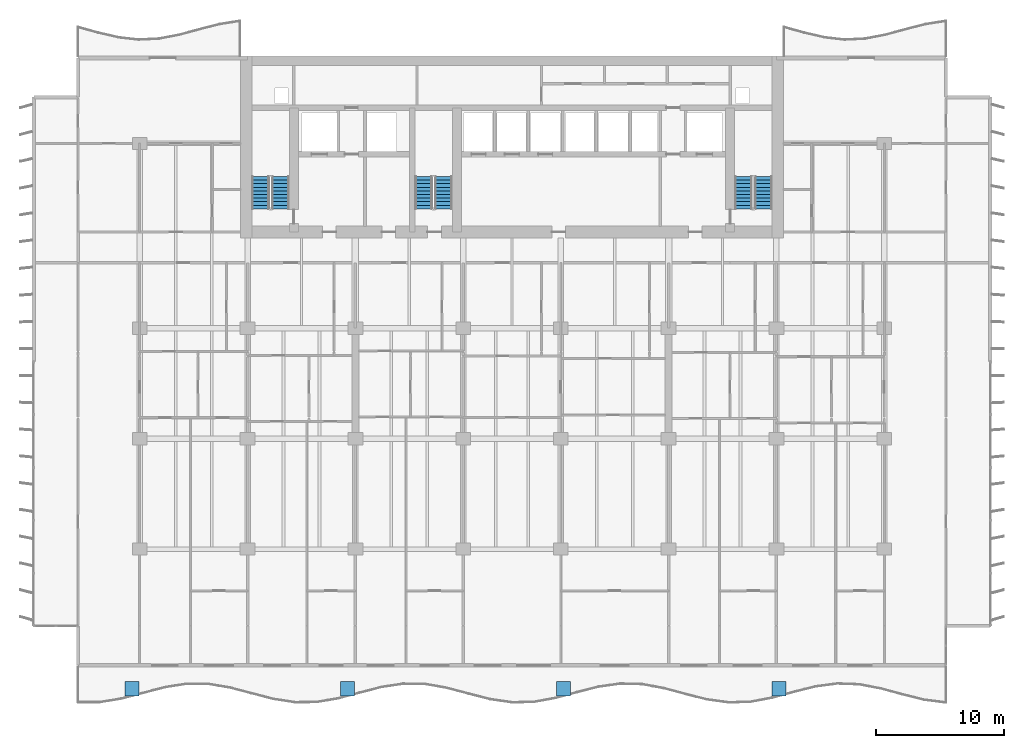
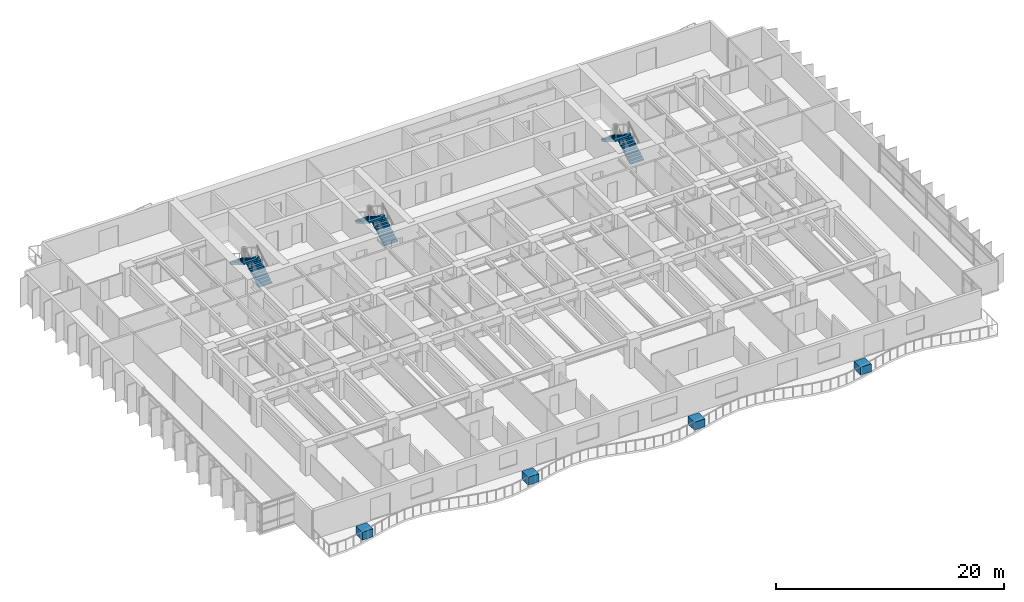
# One storey, part 14 of 18: 6 stair flights, 4 discrete accessories, 3 elements without a shape of their own.
"""IFC4 building model written with IfcOpenShell, lengths in metres."""

from ifc_helpers import new_model, si_unit, direction, frame, origin, origin_2d, place, context, subcontext, project, spatial, polyline, rectangle, outline, extrude, material, type_object, element, aggregate, save


model = new_model("IFC4")

# Units and contexts
model_context = context("Model", 3, precision=1e-05, world=origin(), true_north=direction((0.0, 1.0)))
body_context = subcontext(model_context, "Body", "Model", "MODEL_VIEW")
ifc_project = project(units=[si_unit("LENGTHUNIT", "METRE"), si_unit("AREAUNIT", "SQUARE_METRE"), si_unit("VOLUMEUNIT", "CUBIC_METRE"), si_unit("PLANEANGLEUNIT", "RADIAN"), si_unit("MASSUNIT", "GRAM", prefix="KILO")], contexts=[model_context])

# Site, building, storey
site_placement = place(None, origin())
site = spatial("IfcSite", under=ifc_project, at=site_placement, CompositionType="ELEMENT")
building_placement = place(site_placement, origin())
building = spatial("IfcBuilding", under=site, at=building_placement, Name="Caelmar Bay Residences", CompositionType="ELEMENT")
storey_placement = place(building_placement, frame((0.0, 0.0, 36.60009765625)))
storey = spatial("IfcBuildingStorey", under=building, at=storey_placement, Name="L08", CompositionType="ELEMENT", Elevation=36.60009765625)

# Stair, stair flights
ifc_material_1 = material(Name="Concrete f'c 40 MPa (6,000 psi)", Category="concrete")
stair_type = type_object("IfcStairType", Name="ST-TYP-165", PredefinedType="HALF_TURN_STAIR", material=ifc_material_1)
stair_1_placement = place(storey_placement, origin())
stair_1 = element("IfcStair", 1, at=stair_1_placement, inside=storey, type_object=stair_type, Name="L08 West Smokeproof Exit Stair ST1", PredefinedType="HALF_TURN_STAIR")
stair_flight_type = type_object("IfcStairFlightType", Name="STF-1350", PredefinedType="STRAIGHT", material=ifc_material_1)
stair_flight_1_placement = place(storey_placement, frame((20.875, 38.699951171875, 0.0), z_axis=(0.0, 0.0, 1.0), x_axis=(0.0, 1.0, 0.0)))
stair_flight_1 = element("IfcStairFlight", 2, at=stair_flight_1_placement, type_object=stair_flight_type, Name="ST1 flight 1", NumberOfRisers=10, NumberOfTreads=9, PredefinedType="STRAIGHT", RiserHeight=0.165, TreadLength=0.28, context=body_context, shape_type="SweptSolid", body=[
    extrude(outline(polyline([(0.0, 0.0), (0.0, 0.1650390625), (0.280029296875, 0.1650390625), (0.280029296875, 0.330078125), (0.56005859375, 0.330078125), (0.56005859375, 0.4951171875), (0.840087890625, 0.4951171875), (0.840087890625, 0.659912109375), (1.1201171875, 0.659912109375), (1.1201171875, 0.824951171875), (1.39990234375, 0.824951171875), (1.39990234375, 0.989990234375), (1.679931640625, 0.989990234375), (1.679931640625, 1.155029296875), (1.9599609375, 1.155029296875), (1.9599609375, 1.320068359375), (2.239990234375, 1.320068359375), (2.239990234375, 1.485107421875), (2.52001953125, 1.485107421875), (2.52001953125, 1.64990234375), (2.52001953125, 1.31103515625), (0.295166015625, 0.0), (0.0, 0.0)])), frame((0.0, 0.675048828125, 0.0), z_axis=(0.0, -1.0, 0.0), x_axis=(1.0, 0.0, 0.0)), (0.0, 0.0, 1.0), 1.35009765625),
])
stair_flight_2_placement = place(storey_placement, frame((19.324951171875, 41.219970703125, 1.64990234375), z_axis=(0.0, 0.0, 1.0), x_axis=(0.0, -1.0, 0.0)))
stair_flight_2 = element("IfcStairFlight", 3, at=stair_flight_2_placement, type_object=stair_flight_type, Name="ST1 flight 2", NumberOfRisers=10, NumberOfTreads=9, PredefinedType="STRAIGHT", RiserHeight=0.165, TreadLength=0.28, context=body_context, shape_type="SweptSolid", body=[
    extrude(outline(polyline([(0.0, 0.0), (0.0, 0.1650390625), (0.280029296875, 0.1650390625), (0.280029296875, 0.330078125), (0.56005859375, 0.330078125), (0.56005859375, 0.4951171875), (0.840087890625, 0.4951171875), (0.840087890625, 0.659912109375), (1.1201171875, 0.659912109375), (1.1201171875, 0.824951171875), (1.39990234375, 0.824951171875), (1.39990234375, 0.989990234375), (1.679931640625, 0.989990234375), (1.679931640625, 1.155029296875), (1.9599609375, 1.155029296875), (1.9599609375, 1.320068359375), (2.239990234375, 1.320068359375), (2.239990234375, 1.485107421875), (2.52001953125, 1.485107421875), (2.52001953125, 1.64990234375), (2.52001953125, 1.31103515625), (0.295166015625, 0.0), (0.0, 0.0)])), frame((0.0, 0.675048828125, 0.0), z_axis=(0.0, -1.0, 0.0), x_axis=(1.0, 0.0, 0.0)), (0.0, 0.0, 1.0), 1.35009765625),
])
aggregate(stair_1, [stair_flight_1, stair_flight_2])

stair_2_placement = place(storey_placement, origin())
stair_2 = element("IfcStair", 4, at=stair_2_placement, inside=storey, type_object=stair_type, Name="L08 East Smokeproof Exit Stair ST2", PredefinedType="HALF_TURN_STAIR")
stair_flight_3_placement = place(storey_placement, frame((58.47509765625, 38.699951171875, 0.0), z_axis=(0.0, 0.0, 1.0), x_axis=(0.0, 1.0, 0.0)))
stair_flight_3 = element("IfcStairFlight", 5, at=stair_flight_3_placement, type_object=stair_flight_type, Name="ST2 flight 1", NumberOfRisers=10, NumberOfTreads=9, PredefinedType="STRAIGHT", RiserHeight=0.165, TreadLength=0.28, context=body_context, shape_type="SweptSolid", body=[
    extrude(outline(polyline([(0.0, 0.0), (0.0, 0.1650390625), (0.280029296875, 0.1650390625), (0.280029296875, 0.330078125), (0.56005859375, 0.330078125), (0.56005859375, 0.4951171875), (0.840087890625, 0.4951171875), (0.840087890625, 0.659912109375), (1.1201171875, 0.659912109375), (1.1201171875, 0.824951171875), (1.39990234375, 0.824951171875), (1.39990234375, 0.989990234375), (1.679931640625, 0.989990234375), (1.679931640625, 1.155029296875), (1.9599609375, 1.155029296875), (1.9599609375, 1.320068359375), (2.239990234375, 1.320068359375), (2.239990234375, 1.485107421875), (2.52001953125, 1.485107421875), (2.52001953125, 1.64990234375), (2.52001953125, 1.31103515625), (0.295166015625, 0.0), (0.0, 0.0)])), frame((0.0, 0.675048828125, 0.0), z_axis=(0.0, -1.0, 0.0), x_axis=(1.0, 0.0, 0.0)), (0.0, 0.0, 1.0), 1.35009765625),
])
stair_flight_4_placement = place(storey_placement, frame((56.925048828125, 41.219970703125, 1.64990234375), z_axis=(0.0, 0.0, 1.0), x_axis=(0.0, -1.0, 0.0)))
stair_flight_4 = element("IfcStairFlight", 6, at=stair_flight_4_placement, type_object=stair_flight_type, Name="ST2 flight 2", NumberOfRisers=10, NumberOfTreads=9, PredefinedType="STRAIGHT", RiserHeight=0.165, TreadLength=0.28, context=body_context, shape_type="SweptSolid", body=[
    extrude(outline(polyline([(0.0, 0.0), (0.0, 0.1650390625), (0.280029296875, 0.1650390625), (0.280029296875, 0.330078125), (0.56005859375, 0.330078125), (0.56005859375, 0.4951171875), (0.840087890625, 0.4951171875), (0.840087890625, 0.659912109375), (1.1201171875, 0.659912109375), (1.1201171875, 0.824951171875), (1.39990234375, 0.824951171875), (1.39990234375, 0.989990234375), (1.679931640625, 0.989990234375), (1.679931640625, 1.155029296875), (1.9599609375, 1.155029296875), (1.9599609375, 1.320068359375), (2.239990234375, 1.320068359375), (2.239990234375, 1.485107421875), (2.52001953125, 1.485107421875), (2.52001953125, 1.64990234375), (2.52001953125, 1.31103515625), (0.295166015625, 0.0), (0.0, 0.0)])), frame((0.0, 0.675048828125, 0.0), z_axis=(0.0, -1.0, 0.0), x_axis=(1.0, 0.0, 0.0)), (0.0, 0.0, 1.0), 1.35009765625),
])
aggregate(stair_2, [stair_flight_3, stair_flight_4])

stair_3_placement = place(storey_placement, origin())
stair_3 = element("IfcStair", 7, at=stair_3_placement, inside=storey, type_object=stair_type, Name="L08 Central Smokeproof Exit Stair ST3", PredefinedType="HALF_TURN_STAIR")
stair_flight_5_placement = place(storey_placement, frame((33.574951171875, 38.699951171875, 0.0), z_axis=(0.0, 0.0, 1.0), x_axis=(0.0, 1.0, 0.0)))
stair_flight_5 = element("IfcStairFlight", 8, at=stair_flight_5_placement, type_object=stair_flight_type, Name="ST3 flight 1", NumberOfRisers=10, NumberOfTreads=9, PredefinedType="STRAIGHT", RiserHeight=0.165, TreadLength=0.28, context=body_context, shape_type="SweptSolid", body=[
    extrude(outline(polyline([(0.0, 0.0), (0.0, 0.1650390625), (0.280029296875, 0.1650390625), (0.280029296875, 0.330078125), (0.56005859375, 0.330078125), (0.56005859375, 0.4951171875), (0.840087890625, 0.4951171875), (0.840087890625, 0.659912109375), (1.1201171875, 0.659912109375), (1.1201171875, 0.824951171875), (1.39990234375, 0.824951171875), (1.39990234375, 0.989990234375), (1.679931640625, 0.989990234375), (1.679931640625, 1.155029296875), (1.9599609375, 1.155029296875), (1.9599609375, 1.320068359375), (2.239990234375, 1.320068359375), (2.239990234375, 1.485107421875), (2.52001953125, 1.485107421875), (2.52001953125, 1.64990234375), (2.52001953125, 1.31103515625), (0.295166015625, 0.0), (0.0, 0.0)])), frame((0.0, 0.675048828125, 0.0), z_axis=(0.0, -1.0, 0.0), x_axis=(1.0, 0.0, 0.0)), (0.0, 0.0, 1.0), 1.35009765625),
])
stair_flight_6_placement = place(storey_placement, frame((32.02490234375, 41.219970703125, 1.64990234375), z_axis=(0.0, 0.0, 1.0), x_axis=(0.0, -1.0, 0.0)))
stair_flight_6 = element("IfcStairFlight", 9, at=stair_flight_6_placement, type_object=stair_flight_type, Name="ST3 flight 2", NumberOfRisers=10, NumberOfTreads=9, PredefinedType="STRAIGHT", RiserHeight=0.165, TreadLength=0.28, context=body_context, shape_type="SweptSolid", body=[
    extrude(outline(polyline([(0.0, 0.0), (0.0, 0.1650390625), (0.280029296875, 0.1650390625), (0.280029296875, 0.330078125), (0.56005859375, 0.330078125), (0.56005859375, 0.4951171875), (0.840087890625, 0.4951171875), (0.840087890625, 0.659912109375), (1.1201171875, 0.659912109375), (1.1201171875, 0.824951171875), (1.39990234375, 0.824951171875), (1.39990234375, 0.989990234375), (1.679931640625, 0.989990234375), (1.679931640625, 1.155029296875), (1.9599609375, 1.155029296875), (1.9599609375, 1.320068359375), (2.239990234375, 1.320068359375), (2.239990234375, 1.485107421875), (2.52001953125, 1.485107421875), (2.52001953125, 1.64990234375), (2.52001953125, 1.31103515625), (0.295166015625, 0.0), (0.0, 0.0)])), frame((0.0, 0.675048828125, 0.0), z_axis=(0.0, -1.0, 0.0), x_axis=(1.0, 0.0, 0.0)), (0.0, 0.0, 1.0), 1.35009765625),
])
aggregate(stair_3, [stair_flight_5, stair_flight_6])

# Discrete accessories
ifc_material_2 = material(Name="Architectural bronze GRC planter trough with volcanic-lapilli substrate")
discrete_accessory_type = type_object("IfcDiscreteAccessoryType", Name="ACC-PLANTER-1100", PredefinedType="USERDEFINED", material=ifc_material_2)
for number, where, z_axis, x_axis, name in (
    (10, (9.300048828125, 1.318115234375, -0.000244140625), (0.0, 0.0, 1.0), (1.0, 0.0, 0.0), "L08 Balcony Structural Tree Planter 1"),
    (11, (26.10009765625, 1.318115234375, -0.000244140625), (0.0, 0.0, 1.0), (1.0, 0.0, 0.0), "L08 Balcony Structural Tree Planter 2"),
    (12, (42.89990234375, 1.318115234375, -0.000244140625), (0.0, 0.0, 1.0), (1.0, 0.0, 0.0), "L08 Balcony Structural Tree Planter 3"),
    (13, (59.699951171875, 1.318115234375, -0.000244140625), (0.0, 0.0, 1.0), (1.0, 0.0, 0.0), "L08 Balcony Structural Tree Planter 4"),
):
    element("IfcDiscreteAccessory", number, at=place(storey_placement, frame(where, z_axis=z_axis, x_axis=x_axis)), inside=storey, type_object=discrete_accessory_type, Name=name, ObjectType="PLANTER", PredefinedType="USERDEFINED", context=body_context, shape_type="SweptSolid", body=[
        extrude(rectangle(XDim=1.10009765625, YDim=1.10009765625, at=origin_2d()), origin(), (0.0, 0.0, 1.0), 0.85009765625),
    ])

save(model, "model.ifc")
